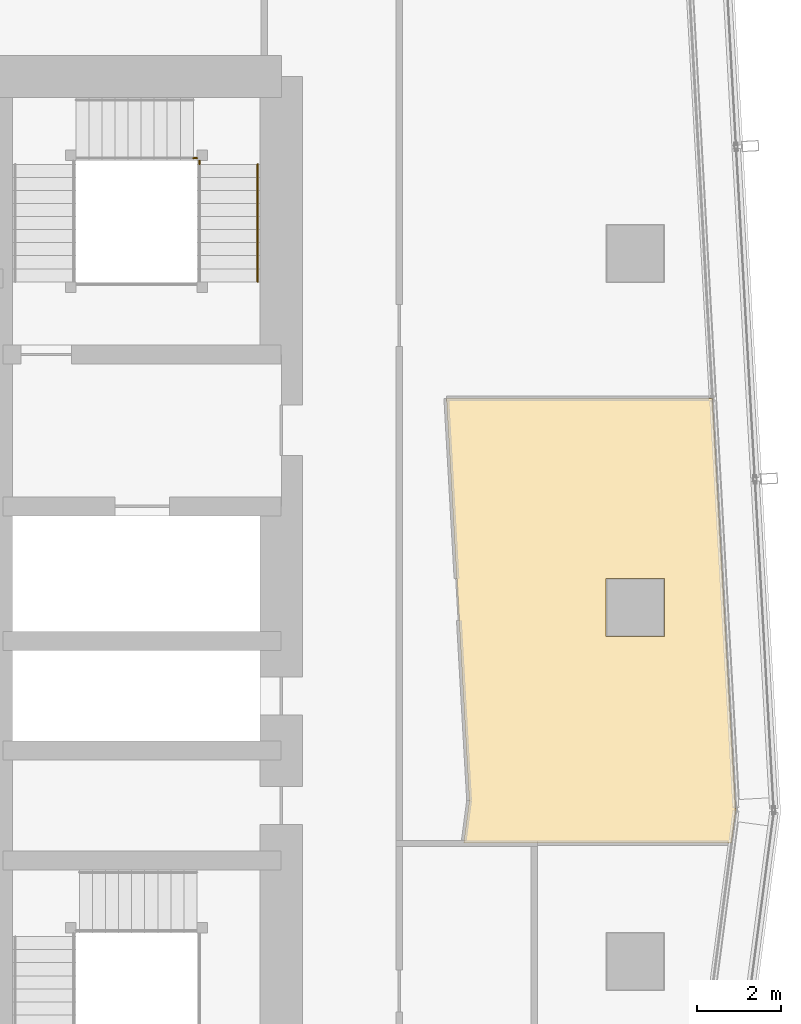
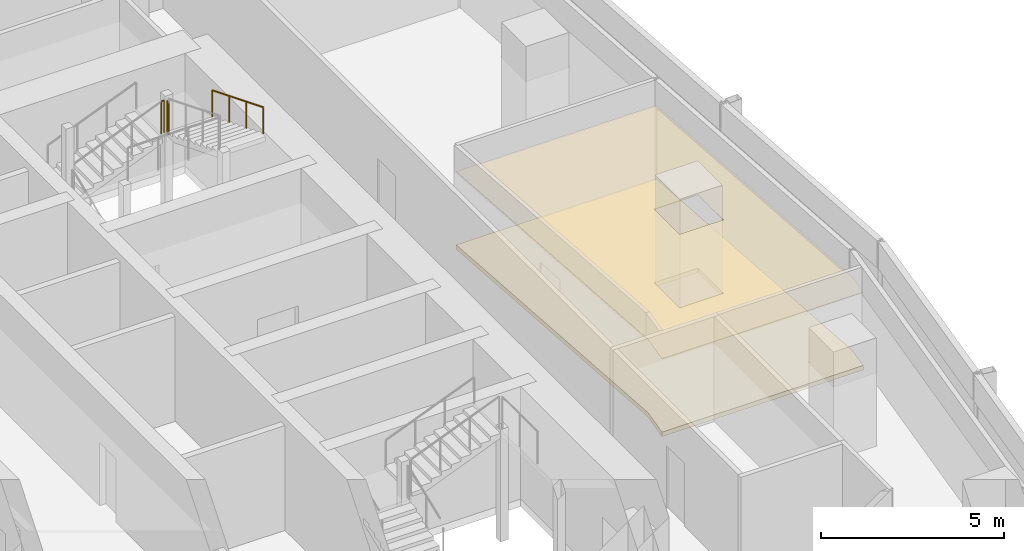
# One storey, part 38 of 39: 3 railings, 2 coverings.
"""IFC4 building model written with IfcOpenShell, lengths in metres."""

from ifc_helpers import new_model, si_unit, direction, frame, origin, origin_2d, place, context, subcontext, project, spatial, polyline, circle, outline, extrude, material, layer, layer_set, type_object, element, save


model = new_model("IFC4")

# Units and contexts
model_context = context("Model", 3, precision=1e-05, world=origin(), true_north=direction((0.0, 1.0)))
body_context = subcontext(model_context, "Body", "Model", "MODEL_VIEW")
ifc_project = project(units=[si_unit("LENGTHUNIT", "METRE"), si_unit("AREAUNIT", "SQUARE_METRE"), si_unit("VOLUMEUNIT", "CUBIC_METRE"), si_unit("PLANEANGLEUNIT", "RADIAN"), si_unit("MASSUNIT", "GRAM", prefix="KILO")], contexts=[model_context])

# Site, building, storey
site_placement = place(None, origin())
site = spatial("IfcSite", under=ifc_project, at=site_placement, CompositionType="ELEMENT")
building_placement = place(site_placement, origin())
building = spatial("IfcBuilding", under=site, at=building_placement, Name="Rekha Terrace Tower", CompositionType="ELEMENT")
storey_placement = place(building_placement, frame((0.0, 0.0, 225.199951171875)))
storey = spatial("IfcBuildingStorey", under=building, at=storey_placement, Name="L57", CompositionType="ELEMENT", Elevation=225.199951171875)

# Covering
ifc_material_1 = material(Name="Mineral fibre tile in exposed grid", Category="finish")
ifc_layer_1 = layer(ifc_material_1, 0.02001953125)
ifc_layer_set_1 = layer_set([ifc_layer_1], Name="Mineral fibre tile in exposed grid")
covering_type_1 = type_object("IfcCoveringType", Name="CL1 600x1200 office grid ceiling", PredefinedType="CEILING", material=ifc_layer_set_1)
covering_1_placement = place(storey_placement, frame((0.0, 0.0, 2.580078125)))
element("IfcCovering", 1, at=covering_1_placement, inside=storey, type_object=covering_type_1, Name="Ceiling L57-04", PredefinedType="CEILING", context=body_context, shape_type="SweptSolid", body=[
    extrude(outline(polyline([(54.862060546875, 29.01708984375), (54.72900390625, 28.013916015625), (61.083984375, 28.013916015625), (61.18603515625, 28.780029296875), (60.631103515625, 38.554931640625), (54.321044921875, 38.554931640625), (54.862060546875, 29.01708984375)]), holes=[polyline([(59.489990234375, 34.2900390625), (59.489990234375, 32.909912109375), (58.110107421875, 32.909912109375), (58.110107421875, 34.2900390625), (59.489990234375, 34.2900390625)])]), origin(), (0.0, 0.0, 1.0), 0.02001953125),
])

# Railings
ifc_material_2 = material(Name="Stainless steel balustrade", Category="steel")
railing_type_1 = type_object("IfcRailingType", Name="GR1 1100 stair guard", PredefinedType="GUARDRAIL", material=ifc_material_2)
railing_1_placement = place(storey_placement, frame((48.31494140625, 44.260009765625, 2.5)))
element("IfcRailing", 2, at=railing_1_placement, inside=storey, type_object=railing_type_1, Name="Guard ST2 L57 landing 2", PredefinedType="GUARDRAIL", context=body_context, shape_type="SweptSolid", body=[
    extrude(circle(Radius=0.02392578125, at=origin_2d()), frame((0.0, 0.0, 1.076171875), z_axis=(1.0, 0.0, 0.0), x_axis=(0.0, 1.0, 0.0)), (0.0, 0.0, 1.0), 0.0849609375),
    extrude(circle(Radius=0.02099609375, at=origin_2d()), origin(), (0.0, 0.0, 1.0), 1.052001953125),
    extrude(circle(Radius=0.02099609375, at=origin_2d()), frame((0.0849609375, 0.0, 0.0)), (0.0, 0.0, 1.0), 1.052001953125),
])
railing_2_placement = place(storey_placement, frame((48.4599609375, 44.114990234375, 2.5)))
element("IfcRailing", 3, at=railing_2_placement, inside=storey, type_object=railing_type_1, Name="Guard ST2 L57 landing 3", PredefinedType="GUARDRAIL", context=body_context, shape_type="SweptSolid", body=[
    extrude(circle(Radius=0.02392578125, at=origin_2d()), frame((0.0, 0.0, 1.076171875), z_axis=(0.0, 1.0, 0.0), x_axis=(-1.0, 0.0, 0.0)), (0.0, 0.0, 1.0), 0.0849609375),
    extrude(circle(Radius=0.02099609375, at=origin_2d()), origin(), (0.0, 0.0, 1.0), 1.052001953125),
    extrude(circle(Radius=0.02099609375, at=origin_2d()), frame((0.0, 0.0849609375, 0.0)), (0.0, 0.0, 1.0), 1.052001953125),
])
ifc_material_3 = material(Name="Stainless steel tube", Category="steel")
railing_type_2 = type_object("IfcRailingType", Name="HR1 900 stair handrail", PredefinedType="HANDRAIL", material=ifc_material_3)
railing_3_placement = place(storey_placement, frame((49.840087890625, 44.114990234375, 2.625)))
element("IfcRailing", 4, at=railing_3_placement, inside=storey, type_object=railing_type_2, Name="Handrail ST2 L57 flight 3", PredefinedType="HANDRAIL", context=body_context, shape_type="SweptSolid", body=[
    extrude(circle(Radius=0.02392578125, at=origin_2d()), frame((0.0, 0.0, 0.8759765625), z_axis=(0.0, -0.927443287984, 0.373963831907), x_axis=(1.0, 0.0, 0.0)), (0.0, 0.0, 1.0), 3.00830078125),
    extrude(circle(Radius=0.02099609375, at=origin_2d()), origin(), (0.0, 0.0, 1.0), 0.851806640625),
    extrude(circle(Radius=0.02099609375, at=origin_2d()), frame((0.0, -0.929931640625, 0.375)), (0.0, 0.0, 1.0), 0.851806640625),
    extrude(circle(Radius=0.02099609375, at=origin_2d()), frame((0.0, -1.860107421875, 0.75)), (0.0, 0.0, 1.0), 0.851806640625),
    extrude(circle(Radius=0.02099609375, at=origin_2d()), frame((0.0, -2.7900390625, 1.125)), (0.0, 0.0, 1.0), 0.851806640625),
])

# Covering
ifc_material_4 = material(Name="Calcium sulphate panels on steel pedestals", Category="steel")
ifc_layer_2 = layer(ifc_material_4, 0.14990234375)
ifc_layer_set_2 = layer_set([ifc_layer_2], Name="Calcium sulphate panels on steel pedestals")
covering_type_2 = type_object("IfcCoveringType", Name="RF1 150 raised access floor", PredefinedType="FLOORING", material=ifc_layer_set_2)
covering_2_placement = place(storey_placement, origin())
element("IfcCovering", 5, at=covering_2_placement, inside=storey, type_object=covering_type_2, Name="Raised floor L57-04", PredefinedType="FLOORING", context=body_context, shape_type="SweptSolid", body=[
    extrude(outline(polyline([(54.862060546875, 29.01708984375), (54.72900390625, 28.013916015625), (61.083984375, 28.013916015625), (61.18603515625, 28.780029296875), (60.631103515625, 38.554931640625), (54.321044921875, 38.554931640625), (54.862060546875, 29.01708984375)]), holes=[polyline([(59.489990234375, 34.2900390625), (59.489990234375, 32.909912109375), (58.110107421875, 32.909912109375), (58.110107421875, 34.2900390625), (59.489990234375, 34.2900390625)])]), origin(), (0.0, 0.0, 1.0), 0.150146484375),
])

save(model, "model.ifc")
